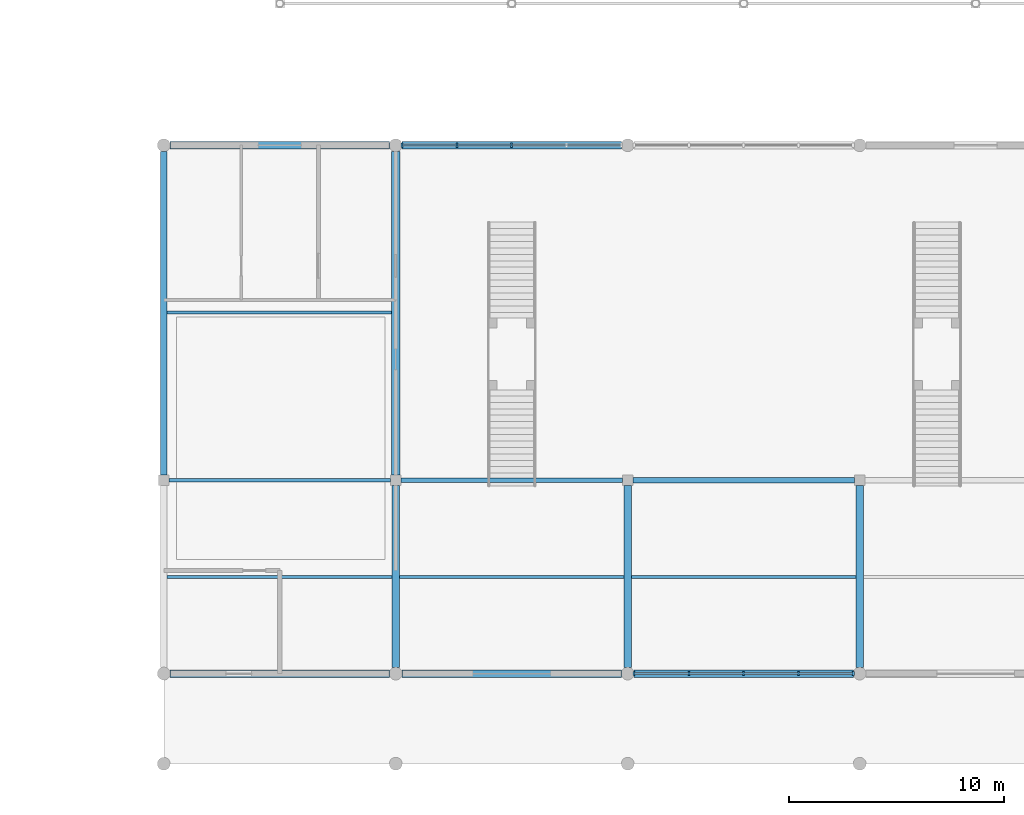
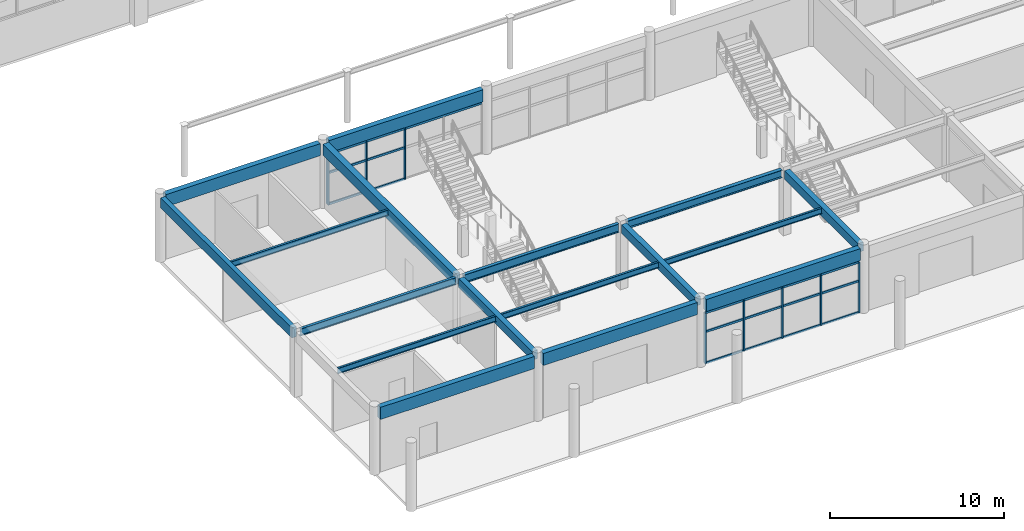
# One storey, part 22 of 82: 22 members, 17 beams, 2 elements without a shape of their own.
"""IFC4 building model written with IfcOpenShell, lengths in metres."""

from ifc_helpers import new_model, si_unit, direction, frame, origin, origin_2d, place, context, subcontext, project, spatial, rectangle, i_section, extrude, material, material_profile, profile_set, type_object, element, aggregate, save


model = new_model("IFC4")

# Units and contexts
model_context = context("Model", 3, precision=1e-05, world=origin(), true_north=direction((0.0, 1.0)))
body_context = subcontext(model_context, "Body", "Model", "MODEL_VIEW")
ifc_project = project(units=[si_unit("LENGTHUNIT", "METRE"), si_unit("AREAUNIT", "SQUARE_METRE"), si_unit("VOLUMEUNIT", "CUBIC_METRE"), si_unit("PLANEANGLEUNIT", "RADIAN"), si_unit("MASSUNIT", "GRAM", prefix="KILO")], contexts=[model_context])

# Site, building, storey
site_placement = place(None, origin())
site = spatial("IfcSite", under=ifc_project, at=site_placement, CompositionType="ELEMENT")
building_placement = place(site_placement, origin())
building = spatial("IfcBuilding", under=site, at=building_placement, Name="Suirenkawa Promenade Aquatics Centre", CompositionType="ELEMENT")
storey_placement = place(building_placement, origin())
storey = spatial("IfcBuildingStorey", under=building, at=storey_placement, Name="L00", CompositionType="ELEMENT", Elevation=0.0)

# Beams
ifc_material_1 = material(Name="Steel IS 2062 E350 (Grade 350)", Category="steel")
ifc_material_profile_1 = material_profile(ifc_material_1, i_section(OverallWidth=0.139892578125, OverallDepth=0.39990234375, WebThickness=0.009033203125, FlangeThickness=0.01611328125, at=origin_2d()), Name="ISMB 400", Category="steel")
ifc_profile_set_1 = profile_set([ifc_material_profile_1], Name="Steel IS 2062 E350 (Grade 350)")
beam_type_1 = type_object("IfcBeamType", Name="BT-JOIST-ISMB400", PredefinedType="JOIST", material=ifc_profile_set_1)
beam_1_placement = place(storey_placement, frame((79.343994140625, 8.699951171875, 4.347900390625), z_axis=(1.0, 0.0, 0.0), x_axis=(0.0, 1.0, 0.0)))
element("IfcBeam", 1, at=beam_1_placement, inside=storey, type_object=beam_type_1, Name="Secondary floor joist JS-04 BM-1532", PredefinedType="JOIST", context=body_context, shape_type="SweptSolid", body=[
    extrude(i_section(OverallWidth=0.139892578125, OverallDepth=0.39990234375, WebThickness=0.009033203125, FlangeThickness=0.01611328125, at=origin_2d()), origin(), (0.0, 0.0, 1.0), 10.487060546875),
])
beam_2_placement = place(storey_placement, frame((79.343994140625, 21.0, 4.347900390625), z_axis=(1.0, 0.0, 0.0), x_axis=(0.0, 1.0, 0.0)))
element("IfcBeam", 2, at=beam_2_placement, inside=storey, type_object=beam_type_1, Name="Secondary floor joist JS-04 BM-1533", PredefinedType="JOIST", context=body_context, shape_type="SweptSolid", body=[
    extrude(i_section(OverallWidth=0.139892578125, OverallDepth=0.39990234375, WebThickness=0.009033203125, FlangeThickness=0.01611328125, at=origin_2d()), origin(), (0.0, 0.0, 1.0), 10.4619140625),
])
beam_3_placement = place(storey_placement, frame((90.1689453125, 8.699951171875, 4.347900390625), z_axis=(1.0, 0.0, 0.0), x_axis=(0.0, 1.0, 0.0)))
element("IfcBeam", 3, at=beam_3_placement, inside=storey, type_object=beam_type_1, Name="Secondary floor joist JS-04 BM-1534", PredefinedType="JOIST", context=body_context, shape_type="SweptSolid", body=[
    extrude(i_section(OverallWidth=0.139892578125, OverallDepth=0.39990234375, WebThickness=0.009033203125, FlangeThickness=0.01611328125, at=origin_2d()), origin(), (0.0, 0.0, 1.0), 10.462158203125),
])
beam_4_placement = place(storey_placement, frame((100.968994140625, 8.699951171875, 4.347900390625), z_axis=(1.0, 0.0, 0.0), x_axis=(0.0, 1.0, 0.0)))
element("IfcBeam", 4, at=beam_4_placement, inside=storey, type_object=beam_type_1, Name="Secondary floor joist JS-04 BM-1535", PredefinedType="JOIST", context=body_context, shape_type="SweptSolid", body=[
    extrude(i_section(OverallWidth=0.139892578125, OverallDepth=0.39990234375, WebThickness=0.009033203125, FlangeThickness=0.01611328125, at=origin_2d()), origin(), (0.0, 0.0, 1.0), 10.4619140625),
])
ifc_material_2 = material(Name="Concrete M35", Category="concrete")
ifc_material_profile_2 = material_profile(ifc_material_2, rectangle(XDim=0.35009765625, YDim=0.60009765625, at=origin_2d()), Name="RC BM 350x600", Category="concrete")
ifc_profile_set_2 = profile_set([ifc_material_profile_2], Name="Concrete M35")
beam_type_2 = type_object("IfcBeamType", Name="BT-RC-350x600", PredefinedType="BEAM", material=ifc_profile_set_2)
for number, where, z_axis, x_axis, name in (
    (5, (90.0, 4.493896484375, 4.25), (0.0, 1.0, 0.0), (-1.0, 0.0, 0.0), "Floor beam BM-02 BM-1520"),
    (6, (100.800048828125, 4.493896484375, 4.25), (0.0, 1.0, 0.0), (-1.0, 0.0, 0.0), "Floor beam BM-02 BM-1522"),
    (7, (111.60009765625, 4.493896484375, 4.25), (0.0, 1.0, 0.0), (-1.0, 0.0, 0.0), "Floor beam BM-02 BM-1523"),
):
    element("IfcBeam", number, at=place(storey_placement, frame(where, z_axis=z_axis, x_axis=x_axis)), inside=storey, type_object=beam_type_2, Name=name, PredefinedType="BEAM", context=body_context, shape_type="SweptSolid", body=[
        extrude(rectangle(XDim=0.35009765625, YDim=0.60009765625, at=origin_2d()), origin(), (0.0, 0.0, 1.0), 8.462158203125),
    ])
ifc_material_3 = material(Name="Concrete M40", Category="concrete")
ifc_material_profile_3 = material_profile(ifc_material_3, rectangle(XDim=0.39990234375, YDim=0.75, at=origin_2d()), Name="RC BM 400x750", Category="concrete")
ifc_profile_set_3 = profile_set([ifc_material_profile_3], Name="Concrete M40")
beam_type_3 = type_object("IfcBeamType", Name="BT-RC-400x750", PredefinedType="BEAM", material=ifc_profile_set_3)
beam_5_placement = place(storey_placement, frame((90.0, 13.444091796875, 4.175048828125), z_axis=(0.0, 1.0, 0.0), x_axis=(-1.0, 0.0, 0.0)))
element("IfcBeam", 8, at=beam_5_placement, inside=storey, type_object=beam_type_3, Name="Floor beam BM-05 BM-1521", PredefinedType="BEAM", context=body_context, shape_type="SweptSolid", body=[
    extrude(rectangle(XDim=0.39990234375, YDim=0.75, at=origin_2d()), origin(), (0.0, 0.0, 1.0), 15.06201171875),
])
ifc_material_profile_4 = material_profile(ifc_material_3, rectangle(XDim=0.300048828125, YDim=0.699951171875, at=origin_2d()), Name="RC SPANDREL 300x700", Category="concrete")
ifc_profile_set_4 = profile_set([ifc_material_profile_4], Name="Concrete M40")
beam_type_4 = type_object("IfcBeamType", Name="BT-SPANDREL-300x700", PredefinedType="SPANDREL", material=ifc_profile_set_4)
beam_6_placement = place(storey_placement, frame((79.199951171875, 13.444091796875, 4.199951171875), z_axis=(0.0, 1.0, 0.0), x_axis=(-1.0, 0.0, 0.0)))
element("IfcBeam", 9, at=beam_6_placement, inside=storey, type_object=beam_type_4, Name="Floor beam SP-01 BM-1519", PredefinedType="SPANDREL", context=body_context, shape_type="SweptSolid", body=[
    extrude(rectangle(XDim=0.300048828125, YDim=0.699951171875, at=origin_2d()), origin(), (0.0, 0.0, 1.0), 15.06201171875),
])
ifc_material_profile_5 = material_profile(ifc_material_3, rectangle(XDim=0.35009765625, YDim=0.85009765625, at=origin_2d()), Name="RC SPANDREL 350x850", Category="concrete")
ifc_profile_set_5 = profile_set([ifc_material_profile_5], Name="Concrete M40")
beam_type_5 = type_object("IfcBeamType", Name="BT-SPANDREL-350x850", PredefinedType="SPANDREL", material=ifc_profile_set_5)
for number, where, z_axis, x_axis, name in (
    (10, (79.493896484375, 4.199951171875, 4.125), (1.0, 0.0, 0.0), (0.0, 1.0, 0.0), "Floor beam SP-02 BM-1497"),
    (11, (90.2939453125, 4.199951171875, 4.125), (1.0, 0.0, 0.0), (0.0, 1.0, 0.0), "Floor beam SP-02 BM-1498"),
):
    element("IfcBeam", number, at=place(storey_placement, frame(where, z_axis=z_axis, x_axis=x_axis)), inside=storey, type_object=beam_type_5, Name=name, PredefinedType="SPANDREL", context=body_context, shape_type="SweptSolid", body=[
        extrude(rectangle(XDim=0.35009765625, YDim=0.85009765625, at=origin_2d()), origin(), (0.0, 0.0, 1.0), 10.212158203125),
    ])
beam_7_placement = place(storey_placement, frame((101.093994140625, 4.199951171875, 4.125), z_axis=(1.0, 0.0, 0.0), x_axis=(0.0, 1.0, 0.0)))
element("IfcBeam", 12, at=beam_7_placement, inside=storey, type_object=beam_type_5, Name="Floor beam SP-02 BM-1499", PredefinedType="SPANDREL", context=body_context, shape_type="SweptSolid", body=[
    extrude(rectangle(XDim=0.35009765625, YDim=0.85009765625, at=origin_2d()), origin(), (0.0, 0.0, 1.0), 10.2119140625),
])
for number, where, z_axis, x_axis, name in (
    (13, (79.493896484375, 28.800048828125, 4.125), (1.0, 0.0, 0.0), (0.0, 1.0, 0.0), "Floor beam SP-02 BM-1511"),
    (14, (90.2939453125, 28.800048828125, 4.125), (1.0, 0.0, 0.0), (0.0, 1.0, 0.0), "Floor beam SP-02 BM-1512"),
):
    element("IfcBeam", number, at=place(storey_placement, frame(where, z_axis=z_axis, x_axis=x_axis)), inside=storey, type_object=beam_type_5, Name=name, PredefinedType="SPANDREL", context=body_context, shape_type="SweptSolid", body=[
        extrude(rectangle(XDim=0.35009765625, YDim=0.85009765625, at=origin_2d()), origin(), (0.0, 0.0, 1.0), 10.212158203125),
    ])
ifc_material_profile_6 = material_profile(ifc_material_1, i_section(OverallWidth=0.179931640625, OverallDepth=0.5, WebThickness=0.010009765625, FlangeThickness=0.01708984375, at=origin_2d()), Name="ISMB 500", Category="steel")
ifc_profile_set_6 = profile_set([ifc_material_profile_6], Name="Steel IS 2062 E350 (Grade 350)")
beam_type_6 = type_object("IfcBeamType", Name="BT-STL-ISMB500", PredefinedType="BEAM", material=ifc_profile_set_6)
beam_8_placement = place(storey_placement, frame((79.444091796875, 13.199951171875, 4.300048828125), z_axis=(1.0, 0.0, 0.0), x_axis=(0.0, 1.0, 0.0)))
element("IfcBeam", 15, at=beam_8_placement, inside=storey, type_object=beam_type_6, Name="Floor beam BM-09 BM-1504", PredefinedType="BEAM", context=body_context, shape_type="SweptSolid", body=[
    extrude(i_section(OverallWidth=0.179931640625, OverallDepth=0.5, WebThickness=0.010009765625, FlangeThickness=0.01708984375, at=origin_2d()), origin(), (0.0, 0.0, 1.0), 10.31201171875),
])
ifc_material_profile_7 = material_profile(ifc_material_1, i_section(OverallWidth=0.2099609375, OverallDepth=0.60009765625, WebThickness=0.011962890625, FlangeThickness=0.02099609375, at=origin_2d()), Name="ISMB 600", Category="steel")
ifc_profile_set_7 = profile_set([ifc_material_profile_7], Name="Steel IS 2062 E350 (Grade 350)")
beam_type_7 = type_object("IfcBeamType", Name="BT-STL-ISMB600", PredefinedType="BEAM", material=ifc_profile_set_7)
beam_9_placement = place(storey_placement, frame((90.243896484375, 13.199951171875, 4.25), z_axis=(1.0, 0.0, 0.0), x_axis=(0.0, 1.0, 0.0)))
element("IfcBeam", 16, at=beam_9_placement, inside=storey, type_object=beam_type_7, Name="Floor beam BM-10 BM-1505", PredefinedType="BEAM", context=body_context, shape_type="SweptSolid", body=[
    extrude(i_section(OverallWidth=0.2099609375, OverallDepth=0.60009765625, WebThickness=0.011962890625, FlangeThickness=0.02099609375, at=origin_2d()), origin(), (0.0, 0.0, 1.0), 10.31201171875),
])
ifc_material_profile_8 = material_profile(ifc_material_1, i_section(OverallWidth=0.25, OverallDepth=0.550048828125, WebThickness=0.010986328125, FlangeThickness=0.01806640625, at=origin_2d()), Name="ISWB 550", Category="steel")
ifc_profile_set_8 = profile_set([ifc_material_profile_8], Name="Steel IS 2062 E350 (Grade 350)")
beam_type_8 = type_object("IfcBeamType", Name="BT-STL-ISWB550", PredefinedType="BEAM", material=ifc_profile_set_8)
beam_10_placement = place(storey_placement, frame((101.0439453125, 13.199951171875, 4.27490234375), z_axis=(1.0, 0.0, 0.0), x_axis=(0.0, 1.0, 0.0)))
element("IfcBeam", 17, at=beam_10_placement, inside=storey, type_object=beam_type_8, Name="Floor beam BM-11 BM-1506", PredefinedType="BEAM", context=body_context, shape_type="SweptSolid", body=[
    extrude(i_section(OverallWidth=0.25, OverallDepth=0.550048828125, WebThickness=0.010986328125, FlangeThickness=0.01806640625, at=origin_2d()), origin(), (0.0, 0.0, 1.0), 10.31201171875),
])

# Curtain wall, members
ifc_material_4 = material(Name="Anodised aluminium 6063-T6", Category="aluminium")
curtain_wall_type_1 = type_object("IfcCurtainWallType", Name="CWAT-V3NL0-26", PredefinedType="NOTDEFINED", material=ifc_material_4)
curtain_wall_1_placement = place(storey_placement, origin())
curtain_wall_1 = element("IfcCurtainWall", 18, at=curtain_wall_1_placement, inside=storey, type_object=curtain_wall_type_1, Name="Curtain wall CWA-26 CW-058", PredefinedType="NOTDEFINED")
ifc_material_profile_9 = material_profile(ifc_material_4, rectangle(XDim=0.094970703125, YDim=0.18994140625, at=origin_2d()), Name="ALU MULL 95x190", Category="aluminium")
ifc_profile_set_9 = profile_set([ifc_material_profile_9], Name="Anodised aluminium 6063-T6")
member_type_1 = type_object("IfcMemberType", Name="CWM-190x95", PredefinedType="MULLION", material=ifc_profile_set_9)
member_1_placement = place(storey_placement, frame((90.299072265625, 28.800048828125, 0.0), z_axis=(0.0, 0.0, 1.0), x_axis=(1.0, 0.0, 0.0)))
member_1 = element("IfcMember", 19, at=member_1_placement, type_object=member_type_1, Name="Mullion ML-02 CWM-01145", PredefinedType="MULLION", context=body_context, shape_type="SweptSolid", body=[
    extrude(rectangle(XDim=0.094970703125, YDim=0.18994140625, at=origin_2d()), origin(), (0.0, 0.0, 1.0), 3.52001953125),
])
member_2_placement = place(storey_placement, frame((92.849609375, 28.800048828125, 0.0), z_axis=(0.0, 0.0, 1.0), x_axis=(1.0, 0.0, 0.0)))
member_2 = element("IfcMember", 20, at=member_2_placement, type_object=member_type_1, Name="Mullion ML-02 CWM-01146", PredefinedType="MULLION", context=body_context, shape_type="SweptSolid", body=[
    extrude(rectangle(XDim=0.094970703125, YDim=0.18994140625, at=origin_2d()), origin(), (0.0, 0.0, 1.0), 3.52001953125),
])
member_3_placement = place(storey_placement, frame((95.39990234375, 28.800048828125, 0.0), z_axis=(0.0, 0.0, 1.0), x_axis=(1.0, 0.0, 0.0)))
member_3 = element("IfcMember", 21, at=member_3_placement, type_object=member_type_1, Name="Mullion ML-02 CWM-01147", PredefinedType="MULLION", context=body_context, shape_type="SweptSolid", body=[
    extrude(rectangle(XDim=0.094970703125, YDim=0.18994140625, at=origin_2d()), origin(), (0.0, 0.0, 1.0), 3.52001953125),
])

curtain_wall_type_2 = type_object("IfcCurtainWallType", Name="CWAT-V3SL0-27", PredefinedType="NOTDEFINED", material=ifc_material_4)
curtain_wall_2_placement = place(storey_placement, origin())
curtain_wall_2 = element("IfcCurtainWall", 22, at=curtain_wall_2_placement, inside=storey, type_object=curtain_wall_type_2, Name="Curtain wall CWA-27 CW-061", PredefinedType="NOTDEFINED")
member_4_placement = place(storey_placement, frame((111.301025390625, 4.199951171875, 0.0), z_axis=(0.0, 0.0, 1.0), x_axis=(-1.0, 0.0, 0.0)))
member_4 = element("IfcMember", 23, at=member_4_placement, type_object=member_type_1, Name="Mullion ML-02 CWM-01211", PredefinedType="MULLION", context=body_context, shape_type="SweptSolid", body=[
    extrude(rectangle(XDim=0.094970703125, YDim=0.18994140625, at=origin_2d()), origin(), (0.0, 0.0, 1.0), 3.52001953125),
])
member_5_placement = place(storey_placement, frame((108.75048828125, 4.199951171875, 0.0), z_axis=(0.0, 0.0, 1.0), x_axis=(-1.0, 0.0, 0.0)))
member_5 = element("IfcMember", 24, at=member_5_placement, type_object=member_type_1, Name="Mullion ML-02 CWM-01212", PredefinedType="MULLION", context=body_context, shape_type="SweptSolid", body=[
    extrude(rectangle(XDim=0.094970703125, YDim=0.18994140625, at=origin_2d()), origin(), (0.0, 0.0, 1.0), 3.52001953125),
])
member_6_placement = place(storey_placement, frame((106.199951171875, 4.199951171875, 0.0), z_axis=(0.0, 0.0, 1.0), x_axis=(-1.0, 0.0, 0.0)))
member_6 = element("IfcMember", 25, at=member_6_placement, type_object=member_type_1, Name="Mullion ML-02 CWM-01213", PredefinedType="MULLION", context=body_context, shape_type="SweptSolid", body=[
    extrude(rectangle(XDim=0.094970703125, YDim=0.18994140625, at=origin_2d()), origin(), (0.0, 0.0, 1.0), 3.52001953125),
])
member_7_placement = place(storey_placement, frame((103.6494140625, 4.199951171875, 0.0), z_axis=(0.0, 0.0, 1.0), x_axis=(-1.0, 0.0, 0.0)))
member_7 = element("IfcMember", 26, at=member_7_placement, type_object=member_type_1, Name="Mullion ML-02 CWM-01214", PredefinedType="MULLION", context=body_context, shape_type="SweptSolid", body=[
    extrude(rectangle(XDim=0.094970703125, YDim=0.18994140625, at=origin_2d()), origin(), (0.0, 0.0, 1.0), 3.52001953125),
])
member_8_placement = place(storey_placement, frame((101.09912109375, 4.199951171875, 0.0), z_axis=(0.0, 0.0, 1.0), x_axis=(-1.0, 0.0, 0.0)))
member_8 = element("IfcMember", 27, at=member_8_placement, type_object=member_type_1, Name="Mullion ML-02 CWM-01215", PredefinedType="MULLION", context=body_context, shape_type="SweptSolid", body=[
    extrude(rectangle(XDim=0.094970703125, YDim=0.18994140625, at=origin_2d()), origin(), (0.0, 0.0, 1.0), 3.52001953125),
])

# Member
ifc_material_profile_10 = material_profile(ifc_material_4, rectangle(XDim=0.094970703125, YDim=0.14990234375, at=origin_2d()), Name="ALU TRAN 95x150", Category="aluminium")
ifc_profile_set_10 = profile_set([ifc_material_profile_10], Name="Anodised aluminium 6063-T6")
member_type_2 = type_object("IfcMemberType", Name="CWT-150x95", PredefinedType="USERDEFINED", material=ifc_profile_set_10)
member_9_placement = place(storey_placement, frame((90.299072265625, 28.800048828125, 0.0), z_axis=(1.0, 0.0, 0.0), x_axis=(0.0, 1.0, 0.0)))
member_9 = element("IfcMember", 28, at=member_9_placement, type_object=member_type_2, Name="Transom TR-02 CWT-01150", ObjectType="TRANSOM", PredefinedType="USERDEFINED", context=body_context, shape_type="SweptSolid", body=[
    extrude(rectangle(XDim=0.094970703125, YDim=0.14990234375, at=origin_2d()), origin(), (0.0, 0.0, 1.0), 2.550537109375),
])

member_10_placement = place(storey_placement, frame((92.849609375, 28.800048828125, 0.0), z_axis=(1.0, 0.0, 0.0), x_axis=(0.0, 1.0, 0.0)))
member_10 = element("IfcMember", 29, at=member_10_placement, type_object=member_type_2, Name="Transom TR-02 CWT-01151", ObjectType="TRANSOM", PredefinedType="USERDEFINED", context=body_context, shape_type="SweptSolid", body=[
    extrude(rectangle(XDim=0.094970703125, YDim=0.14990234375, at=origin_2d()), origin(), (0.0, 0.0, 1.0), 2.55029296875),
])

member_11_placement = place(storey_placement, frame((90.299072265625, 28.800048828125, 2.199951171875), z_axis=(1.0, 0.0, 0.0), x_axis=(0.0, 1.0, 0.0)))
member_11 = element("IfcMember", 30, at=member_11_placement, type_object=member_type_2, Name="Transom TR-02 CWT-01154", ObjectType="TRANSOM", PredefinedType="USERDEFINED", context=body_context, shape_type="SweptSolid", body=[
    extrude(rectangle(XDim=0.094970703125, YDim=0.14990234375, at=origin_2d()), origin(), (0.0, 0.0, 1.0), 2.550537109375),
])

member_12_placement = place(storey_placement, frame((92.849609375, 28.800048828125, 2.199951171875), z_axis=(1.0, 0.0, 0.0), x_axis=(0.0, 1.0, 0.0)))
member_12 = element("IfcMember", 31, at=member_12_placement, type_object=member_type_2, Name="Transom TR-02 CWT-01155", ObjectType="TRANSOM", PredefinedType="USERDEFINED", context=body_context, shape_type="SweptSolid", body=[
    extrude(rectangle(XDim=0.094970703125, YDim=0.14990234375, at=origin_2d()), origin(), (0.0, 0.0, 1.0), 2.55029296875),
])

member_13_placement = place(storey_placement, frame((90.299072265625, 28.800048828125, 3.52001953125), z_axis=(1.0, 0.0, 0.0), x_axis=(0.0, 1.0, 0.0)))
member_13 = element("IfcMember", 32, at=member_13_placement, type_object=member_type_2, Name="Roofline transom TR-02 CWT-01158", ObjectType="TRANSOM", PredefinedType="USERDEFINED", context=body_context, shape_type="SweptSolid", body=[
    extrude(rectangle(XDim=0.094970703125, YDim=0.14990234375, at=origin_2d()), origin(), (0.0, 0.0, 1.0), 10.201904296875),
])

aggregate(curtain_wall_1, [member_1, member_2, member_3, member_9, member_10, member_11, member_12, member_13])

member_14_placement = place(storey_placement, frame((111.301025390625, 4.199951171875, 0.0), z_axis=(-1.0, 0.0, 0.0), x_axis=(0.0, -1.0, 0.0)))
member_14 = element("IfcMember", 33, at=member_14_placement, type_object=member_type_2, Name="Transom TR-02 CWT-01216", ObjectType="TRANSOM", PredefinedType="USERDEFINED", context=body_context, shape_type="SweptSolid", body=[
    extrude(rectangle(XDim=0.094970703125, YDim=0.14990234375, at=origin_2d()), origin(), (0.0, 0.0, 1.0), 2.550537109375),
])

member_15_placement = place(storey_placement, frame((108.75048828125, 4.199951171875, 0.0), z_axis=(-1.0, 0.0, 0.0), x_axis=(0.0, -1.0, 0.0)))
member_15 = element("IfcMember", 34, at=member_15_placement, type_object=member_type_2, Name="Transom TR-02 CWT-01217", ObjectType="TRANSOM", PredefinedType="USERDEFINED", context=body_context, shape_type="SweptSolid", body=[
    extrude(rectangle(XDim=0.094970703125, YDim=0.14990234375, at=origin_2d()), origin(), (0.0, 0.0, 1.0), 2.550537109375),
])

member_16_placement = place(storey_placement, frame((106.199951171875, 4.199951171875, 0.0), z_axis=(-1.0, 0.0, 0.0), x_axis=(0.0, -1.0, 0.0)))
member_16 = element("IfcMember", 35, at=member_16_placement, type_object=member_type_2, Name="Transom TR-02 CWT-01218", ObjectType="TRANSOM", PredefinedType="USERDEFINED", context=body_context, shape_type="SweptSolid", body=[
    extrude(rectangle(XDim=0.094970703125, YDim=0.14990234375, at=origin_2d()), origin(), (0.0, 0.0, 1.0), 2.550537109375),
])

member_17_placement = place(storey_placement, frame((103.6494140625, 4.199951171875, 0.0), z_axis=(-1.0, 0.0, 0.0), x_axis=(0.0, -1.0, 0.0)))
member_17 = element("IfcMember", 36, at=member_17_placement, type_object=member_type_2, Name="Transom TR-02 CWT-01219", ObjectType="TRANSOM", PredefinedType="USERDEFINED", context=body_context, shape_type="SweptSolid", body=[
    extrude(rectangle(XDim=0.094970703125, YDim=0.14990234375, at=origin_2d()), origin(), (0.0, 0.0, 1.0), 2.55029296875),
])

member_18_placement = place(storey_placement, frame((111.301025390625, 4.199951171875, 2.199951171875), z_axis=(-1.0, 0.0, 0.0), x_axis=(0.0, -1.0, 0.0)))
member_18 = element("IfcMember", 37, at=member_18_placement, type_object=member_type_2, Name="Transom TR-02 CWT-01220", ObjectType="TRANSOM", PredefinedType="USERDEFINED", context=body_context, shape_type="SweptSolid", body=[
    extrude(rectangle(XDim=0.094970703125, YDim=0.14990234375, at=origin_2d()), origin(), (0.0, 0.0, 1.0), 2.550537109375),
])

member_19_placement = place(storey_placement, frame((108.75048828125, 4.199951171875, 2.199951171875), z_axis=(-1.0, 0.0, 0.0), x_axis=(0.0, -1.0, 0.0)))
member_19 = element("IfcMember", 38, at=member_19_placement, type_object=member_type_2, Name="Transom TR-02 CWT-01221", ObjectType="TRANSOM", PredefinedType="USERDEFINED", context=body_context, shape_type="SweptSolid", body=[
    extrude(rectangle(XDim=0.094970703125, YDim=0.14990234375, at=origin_2d()), origin(), (0.0, 0.0, 1.0), 2.550537109375),
])

member_20_placement = place(storey_placement, frame((106.199951171875, 4.199951171875, 2.199951171875), z_axis=(-1.0, 0.0, 0.0), x_axis=(0.0, -1.0, 0.0)))
member_20 = element("IfcMember", 39, at=member_20_placement, type_object=member_type_2, Name="Transom TR-02 CWT-01222", ObjectType="TRANSOM", PredefinedType="USERDEFINED", context=body_context, shape_type="SweptSolid", body=[
    extrude(rectangle(XDim=0.094970703125, YDim=0.14990234375, at=origin_2d()), origin(), (0.0, 0.0, 1.0), 2.550537109375),
])

member_21_placement = place(storey_placement, frame((103.6494140625, 4.199951171875, 2.199951171875), z_axis=(-1.0, 0.0, 0.0), x_axis=(0.0, -1.0, 0.0)))
member_21 = element("IfcMember", 40, at=member_21_placement, type_object=member_type_2, Name="Transom TR-02 CWT-01223", ObjectType="TRANSOM", PredefinedType="USERDEFINED", context=body_context, shape_type="SweptSolid", body=[
    extrude(rectangle(XDim=0.094970703125, YDim=0.14990234375, at=origin_2d()), origin(), (0.0, 0.0, 1.0), 2.55029296875),
])

member_22_placement = place(storey_placement, frame((111.301025390625, 4.199951171875, 3.52001953125), z_axis=(-1.0, 0.0, 0.0), x_axis=(0.0, -1.0, 0.0)))
member_22 = element("IfcMember", 41, at=member_22_placement, type_object=member_type_2, Name="Roofline transom TR-02 CWT-01224", ObjectType="TRANSOM", PredefinedType="USERDEFINED", context=body_context, shape_type="SweptSolid", body=[
    extrude(rectangle(XDim=0.094970703125, YDim=0.14990234375, at=origin_2d()), origin(), (0.0, 0.0, 1.0), 10.201904296875),
])

aggregate(curtain_wall_2, [member_4, member_5, member_6, member_7, member_8, member_14, member_15, member_16, member_17, member_18, member_19, member_20, member_21, member_22])

save(model, "model.ifc")
